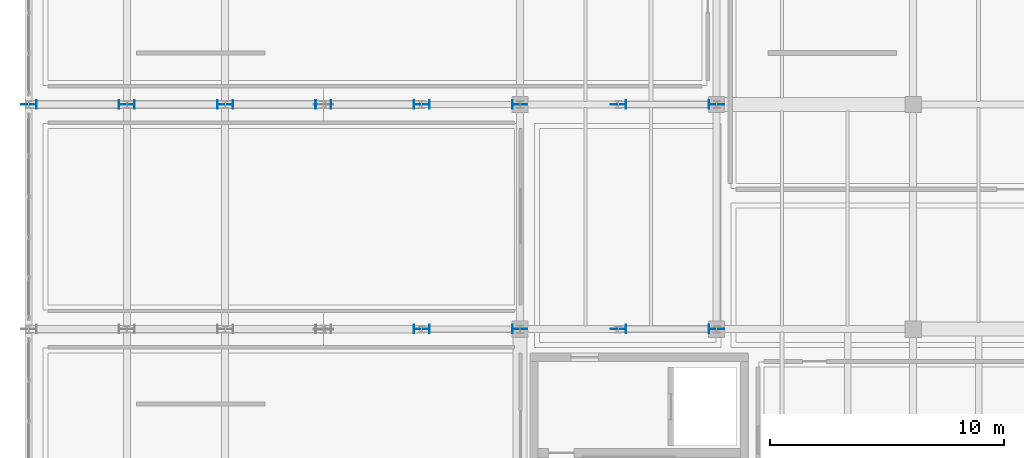
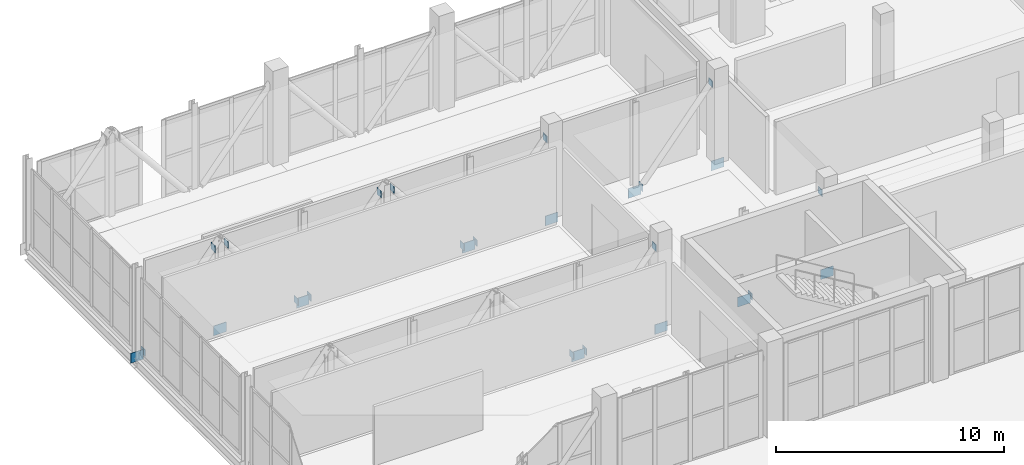
# One storey, part 57 of 77: 28 plates.
"""IFC4 building model written with IfcOpenShell, lengths in metres."""

from ifc_helpers import new_model, si_unit, direction, frame, origin, origin_2d, place, context, subcontext, project, spatial, rectangle, extrude, material, layer, layer_set, type_object, element, save


model = new_model("IFC4")

# Units and contexts
model_context = context("Model", 3, precision=1e-05, world=origin(), true_north=direction((0.0, 1.0)))
body_context = subcontext(model_context, "Body", "Model", "MODEL_VIEW")
ifc_project = project(units=[si_unit("LENGTHUNIT", "METRE"), si_unit("AREAUNIT", "SQUARE_METRE"), si_unit("VOLUMEUNIT", "CUBIC_METRE"), si_unit("PLANEANGLEUNIT", "RADIAN"), si_unit("MASSUNIT", "GRAM", prefix="KILO")], contexts=[model_context])

# Site, building, storey
site_placement = place(None, origin())
site = spatial("IfcSite", under=ifc_project, at=site_placement, CompositionType="ELEMENT")
building_placement = place(site_placement, origin())
building = spatial("IfcBuilding", under=site, at=building_placement, Name="Zulmaris Art Gallery", CompositionType="ELEMENT")
storey_placement = place(building_placement, frame((0.0, 0.0, 15.60009765625)))
storey = spatial("IfcBuildingStorey", under=building, at=storey_placement, Name="L03", CompositionType="ELEMENT", Elevation=15.60009765625)

# Plates
ifc_material = material(Name="Steel S355J2", Category="steel")
ifc_layer_1 = layer(ifc_material, 0.02197265625)
ifc_layer_set_1 = layer_set([ifc_layer_1], Name="Steel S355J2")
plate_type_1 = type_object("IfcPlateType", Name="PLT-CP02", PredefinedType="USERDEFINED", material=ifc_layer_set_1)
for number, where, z_axis, x_axis, name in (
    (1, (27.8701171875, 31.199951171875, -0.31396484375), (0.0, 0.0, 1.0), (1.0, 0.0, 0.0), "Hollow-section end cap plate 22"),
    (2, (28.52978515625, 31.199951171875, -0.31396484375), (0.0, 0.0, 1.0), (1.0, 0.0, 0.0), "Hollow-section end cap plate 23"),
    (3, (32.070068359375, 31.199951171875, 4.00048828125), (0.0, 0.0, 1.0), (1.0, 0.0, 0.0), "Hollow-section end cap plate 24"),
    (4, (36.929931640625, 31.199951171875, -0.31396484375), (0.0, 0.0, 1.0), (1.0, 0.0, 0.0), "Hollow-section end cap plate 25"),
    (5, (40.47021484375, 31.199951171875, 4.00048828125), (0.0, 0.0, 1.0), (1.0, 0.0, 0.0), "Hollow-section end cap plate 26"),
    (6, (11.72998046875, 40.800048828125, -0.31396484375), (0.0, 0.0, 1.0), (1.0, 0.0, 0.0), "Hollow-section end cap plate 27"),
    (7, (15.27001953125, 40.800048828125, 4.00048828125), (0.0, 0.0, 1.0), (1.0, 0.0, 0.0), "Hollow-section end cap plate 28"),
    (8, (15.929931640625, 40.800048828125, 4.00048828125), (0.0, 0.0, 1.0), (1.0, 0.0, 0.0), "Hollow-section end cap plate 29"),
    (9, (19.47021484375, 40.800048828125, -0.31396484375), (0.0, 0.0, 1.0), (1.0, 0.0, 0.0), "Hollow-section end cap plate 30"),
    (10, (20.1298828125, 40.800048828125, -0.31396484375), (0.0, 0.0, 1.0), (1.0, 0.0, 0.0), "Hollow-section end cap plate 31"),
    (11, (23.670166015625, 40.800048828125, 4.00048828125), (0.0, 0.0, 1.0), (1.0, 0.0, 0.0), "Hollow-section end cap plate 32"),
    (12, (24.329833984375, 40.800048828125, 4.00048828125), (0.0, 0.0, 1.0), (1.0, 0.0, 0.0), "Hollow-section end cap plate 33"),
    (13, (27.8701171875, 40.800048828125, -0.31396484375), (0.0, 0.0, 1.0), (1.0, 0.0, 0.0), "Hollow-section end cap plate 34"),
    (14, (28.52978515625, 40.800048828125, -0.31396484375), (0.0, 0.0, 1.0), (1.0, 0.0, 0.0), "Hollow-section end cap plate 35"),
    (15, (32.070068359375, 40.800048828125, 4.00048828125), (0.0, 0.0, 1.0), (1.0, 0.0, 0.0), "Hollow-section end cap plate 36"),
    (16, (36.929931640625, 40.800048828125, -0.31396484375), (0.0, 0.0, 1.0), (1.0, 0.0, 0.0), "Hollow-section end cap plate 37"),
    (17, (40.47021484375, 40.800048828125, 4.00048828125), (0.0, 0.0, 1.0), (1.0, 0.0, 0.0), "Hollow-section end cap plate 38"),
):
    element("IfcPlate", number, at=place(storey_placement, frame(where, z_axis=z_axis, x_axis=x_axis)), inside=storey, type_object=plate_type_1, Name=name, ObjectType="CAP PLATE", PredefinedType="USERDEFINED", context=body_context, shape_type="SweptSolid", body=[
        extrude(rectangle(XDim=0.02197265625, YDim=0.360107421875, at=origin_2d()), origin(), (0.0, 0.0, 1.0), 0.360107421875),
    ])
ifc_layer_2 = layer(ifc_material, 0.028076171875)
ifc_layer_set_2 = layer_set([ifc_layer_2], Name="Steel S355J2")
plate_type_2 = type_object("IfcPlateType", Name="PLT-GP02", PredefinedType="USERDEFINED", material=ifc_layer_set_2)
for number, where, z_axis, x_axis, name in (
    (18, (28.199951171875, 31.199951171875, -0.546142578125), (0.0, 0.0, 1.0), (1.0, 0.0, 0.0), "Cantilever truss TR-C2 node gusset 5"),
    (19, (32.39990234375, 31.199951171875, -0.546142578125), (0.0, 0.0, 1.0), (1.0, 0.0, 0.0), "Cantilever truss TR-C2 node gusset 6"),
    (20, (36.60009765625, 31.199951171875, -0.546142578125), (0.0, 0.0, 1.0), (1.0, 0.0, 0.0), "Cantilever truss TR-C2 node gusset 7"),
    (21, (40.800048828125, 31.199951171875, -0.546142578125), (0.0, 0.0, 1.0), (1.0, 0.0, 0.0), "Cantilever truss TR-C2 node gusset 8"),
    (22, (11.39990234375, 40.800048828125, -0.546142578125), (0.0, 0.0, 1.0), (1.0, 0.0, 0.0), "Cantilever truss TR-C3 node gusset 1"),
    (23, (15.60009765625, 40.800048828125, -0.546142578125), (0.0, 0.0, 1.0), (1.0, 0.0, 0.0), "Cantilever truss TR-C3 node gusset 2"),
    (24, (19.800048828125, 40.800048828125, -0.546142578125), (0.0, 0.0, 1.0), (1.0, 0.0, 0.0), "Cantilever truss TR-C3 node gusset 3"),
    (25, (28.199951171875, 40.800048828125, -0.546142578125), (0.0, 0.0, 1.0), (1.0, 0.0, 0.0), "Cantilever truss TR-C3 node gusset 5"),
    (26, (32.39990234375, 40.800048828125, -0.546142578125), (0.0, 0.0, 1.0), (1.0, 0.0, 0.0), "Cantilever truss TR-C3 node gusset 6"),
    (27, (36.60009765625, 40.800048828125, -0.546142578125), (0.0, 0.0, 1.0), (1.0, 0.0, 0.0), "Cantilever truss TR-C3 node gusset 7"),
    (28, (40.800048828125, 40.800048828125, -0.546142578125), (0.0, 0.0, 1.0), (1.0, 0.0, 0.0), "Cantilever truss TR-C3 node gusset 8"),
):
    element("IfcPlate", number, at=place(storey_placement, frame(where, z_axis=z_axis, x_axis=x_axis)), inside=storey, type_object=plate_type_2, Name=name, ObjectType="GUSSET PLATE", PredefinedType="USERDEFINED", context=body_context, shape_type="SweptSolid", body=[
        extrude(rectangle(XDim=0.639892578125, YDim=0.028076171875, at=origin_2d()), origin(), (0.0, 0.0, 1.0), 0.52001953125),
    ])

save(model, "model.ifc")
